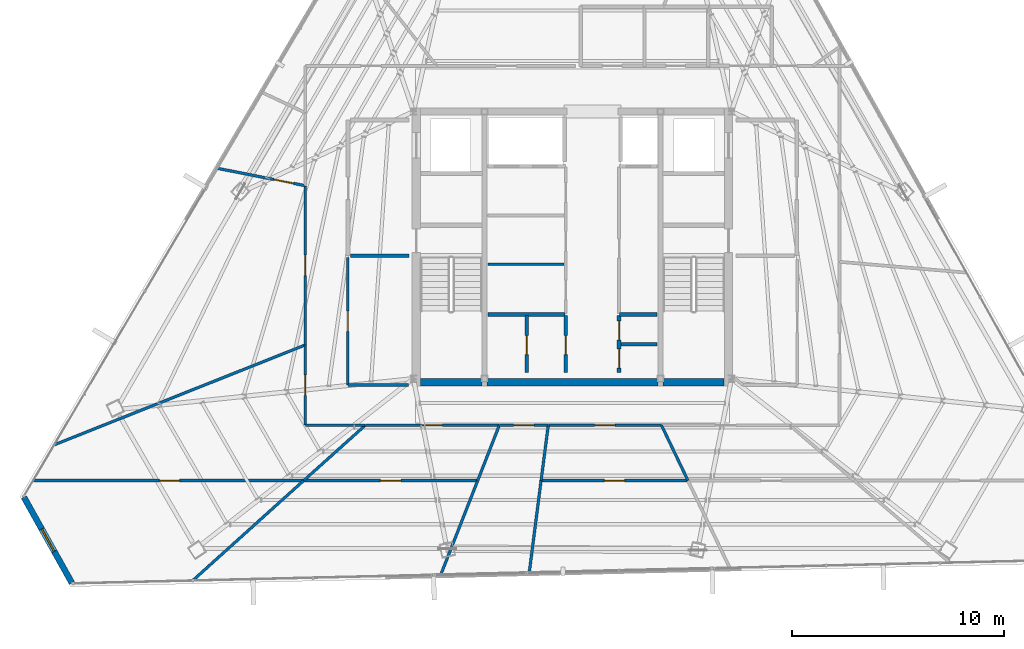
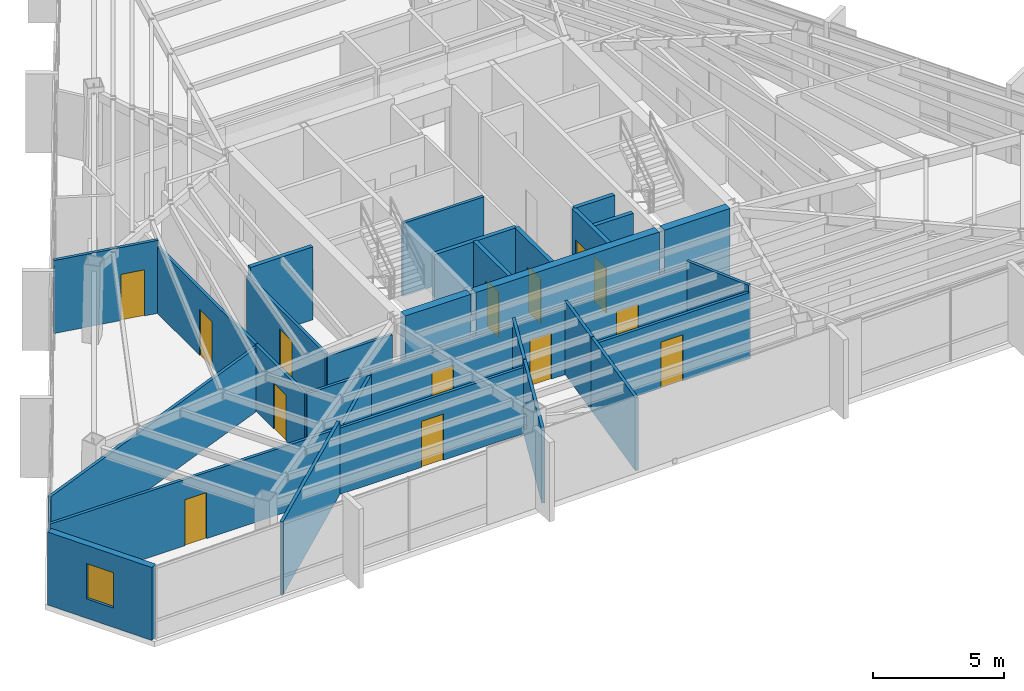
# One storey, part 42 of 47: 32 walls, 14 doors, 1 window, 15 openings.
"""IFC4 building model written with IfcOpenShell, lengths in metres."""

from ifc_helpers import new_model, si_unit, direction, frame, frame_2d, origin, place, context, subcontext, project, spatial, rectangle, extrude, material, layer, layer_set, type_object, element, fill, save


model = new_model("IFC4")

# Units and contexts
model_context = context("Model", 3, precision=1e-05, world=origin(), true_north=direction((0.0, 1.0)))
body_context = subcontext(model_context, "Body", "Model", "MODEL_VIEW")
ifc_project = project(units=[si_unit("LENGTHUNIT", "METRE"), si_unit("AREAUNIT", "SQUARE_METRE"), si_unit("VOLUMEUNIT", "CUBIC_METRE"), si_unit("PLANEANGLEUNIT", "RADIAN"), si_unit("MASSUNIT", "GRAM", prefix="KILO")], contexts=[model_context])

# Site, building, storey
site_placement = place(None, origin())
site = spatial("IfcSite", under=ifc_project, at=site_placement, CompositionType="ELEMENT")
building_placement = place(site_placement, origin())
building = spatial("IfcBuilding", under=site, at=building_placement, Name="Caelisora Broadcast Tower", CompositionType="ELEMENT")
storey_placement = place(building_placement, frame((0.0, 0.0, 255.39990234375)))
storey = spatial("IfcBuildingStorey", under=building, at=storey_placement, Name="L67", CompositionType="ELEMENT", Elevation=255.39990234375)

# Walls
ifc_material_1 = material(Name="Concrete 40 MPa (AS 3600 N40)", Category="concrete")
ifc_layer_1 = layer(ifc_material_1, 0.35009765625, Name="Concrete 40 MPa (AS 3600 N40)")
ifc_layer_set_1 = layer_set([ifc_layer_1], Name="Concrete 40 MPa (AS 3600 N40)")
wall_type_1 = type_object("IfcWallType", Name="CW6", PredefinedType="SHEAR", material=ifc_layer_set_1)
wall_1_placement = place(storey_placement, frame((30.840087890625, 17.22509765625, 0.0), z_axis=(0.0, 0.0, 1.0), x_axis=(1.0, 0.0, 0.0)))
element("IfcWall", 1, at=wall_1_placement, inside=storey, type_object=wall_type_1, Name="L67 core shear wall CW6", PredefinedType="SHEAR", context=body_context, shape_type="SweptSolid", body=[
    extrude(rectangle(XDim=2.89990234375, YDim=0.35009765625, at=frame_2d((1.449951171875, 0.0))), origin(), (0.0, 0.0, 1.0), 3.650146484375),
])
wall_2_placement = place(storey_placement, frame((33.9599609375, 17.22509765625, 0.0), z_axis=(0.0, 0.0, 1.0), x_axis=(1.0, 0.0, 0.0)))
element("IfcWall", 2, at=wall_2_placement, inside=storey, type_object=wall_type_1, Name="L67 core shear wall CW6", PredefinedType="SHEAR", context=body_context, shape_type="SweptSolid", body=[
    extrude(rectangle(XDim=8.080078125, YDim=0.35009765625, at=frame_2d((4.0400390625, 0.0))), origin(), (0.0, 0.0, 1.0), 3.650146484375),
])
wall_3_placement = place(storey_placement, frame((42.260009765625, 17.22509765625, 0.0), z_axis=(0.0, 0.0, 1.0), x_axis=(1.0, 0.0, 0.0)))
element("IfcWall", 3, at=wall_3_placement, inside=storey, type_object=wall_type_1, Name="L67 core shear wall CW6", PredefinedType="SHEAR", context=body_context, shape_type="SweptSolid", body=[
    extrude(rectangle(XDim=2.89990234375, YDim=0.35009765625, at=frame_2d((1.449951171875, 0.0))), origin(), (0.0, 0.0, 1.0), 3.650146484375),
])

# Wall, opening, window
ifc_material_2 = material(Name="Insulated Terracotta Spandrel Wall System", Category="masonry")
ifc_layer_2 = layer(ifc_material_2, 0.280029296875, Name="Insulated Terracotta Spandrel Wall System")
ifc_layer_set_2 = layer_set([ifc_layer_2], Name="Insulated Terracotta Spandrel Wall System")
wall_type_2 = type_object("IfcWallType", Name="EW1", PredefinedType="STANDARD", material=ifc_layer_set_2)
wall_4_placement = place(storey_placement, frame((14.389404296875, 7.76318359375, 0.0), z_axis=(0.0, 0.0, 1.0), x_axis=(-0.488121543329, 0.87277566358, 0.0)))
wall_4 = element("IfcWall", 4, at=wall_4_placement, inside=storey, type_object=wall_type_2, Name="L67 exterior envelope wall EW1", PredefinedType="STANDARD", context=body_context, shape_type="SweptSolid", body=[
    extrude(rectangle(XDim=4.62939453125, YDim=0.280029296875, at=frame_2d((2.314697265625, 0.0))), origin(), (0.0, 0.0, 1.0), 3.400146484375),
])
opening_1_placement = place(wall_4_placement, frame((1.7099609375, 0.0, 0.89990234375)))
opening_1 = element("IfcOpeningElement", 5, at=opening_1_placement, cuts=wall_4, Name="Opening W03", PredefinedType="OPENING", context=body_context, shape_type="SweptSolid", body=[
    extrude(rectangle(XDim=1.199951171875, YDim=1.64990234375, at=frame_2d((0.60009765625, 0.824951171875))), frame((0.0, 0.152099609375, 0.0), z_axis=(0.0, -1.0, 0.0), x_axis=(1.0, 0.0, 0.0)), (0.0, 0.0, 1.0), 0.303955078125),
])
ifc_material_3 = material(Name="Double Glazed Corner Vision Window", Category="glass")
window_type = type_object("IfcWindowType", Name="W03", PartitioningType="SINGLE_PANEL", PredefinedType="WINDOW", material=ifc_material_3)
window_placement = place(opening_1_placement, origin())
window = element("IfcWindow", 6, at=window_placement, inside=storey, type_object=window_type, Name="L67 window W03 (L67-WN-CH4)", OverallHeight=1.64990234375, OverallWidth=1.199951171875, PartitioningType="SINGLE_PANEL", PredefinedType="WINDOW", context=body_context, shape_type="SweptSolid", body=[
    extrude(rectangle(XDim=1.199951171875, YDim=1.64990234375, at=frame_2d((0.60009765625, 0.824951171875))), frame((0.0, 0.030029296875, 0.0), z_axis=(0.0, -1.0, 0.0), x_axis=(1.0, 0.0, 0.0)), (0.0, 0.0, 1.0), 0.06005859375),
])
fill(opening_1, window)

# Walls
ifc_material_4 = material(Name="Fire-Rated Gypsum Shaft and Compartment Wall", Category="gypsum")
ifc_layer_3 = layer(ifc_material_4, 0.179931640625, Name="Fire-Rated Gypsum Shaft and Compartment Wall")
ifc_layer_set_3 = layer_set([ifc_layer_3], Name="Fire-Rated Gypsum Shaft and Compartment Wall")
wall_type_3 = type_object("IfcWallType", Name="PW2", PredefinedType="PARTITIONING", material=ifc_layer_set_3)
wall_5_placement = place(storey_placement, frame((27.52001953125, 23.199951171875, 0.0), z_axis=(0.0, 0.0, 1.0), x_axis=(1.0, 0.0, 0.0)))
element("IfcWall", 7, at=wall_5_placement, inside=storey, type_object=wall_type_3, Name="L67 fire compartment wall PW2", PredefinedType="PARTITIONING", context=body_context, shape_type="SweptSolid", body=[
    extrude(rectangle(XDim=2.760009765625, YDim=0.179931640625, at=frame_2d((1.3798828125, 0.0))), origin(), (0.0, 0.0, 1.0), 3.400146484375),
])
wall_6_placement = place(storey_placement, frame((34.02001953125, 20.419921875, 0.0), z_axis=(0.0, 0.0, 1.0), x_axis=(1.0, 0.0, 0.0)))
element("IfcWall", 8, at=wall_6_placement, inside=storey, type_object=wall_type_3, Name="L67 fire compartment wall PW2", PredefinedType="PARTITIONING", context=body_context, shape_type="SweptSolid", body=[
    extrude(rectangle(XDim=3.639892578125, YDim=0.179931640625, at=frame_2d((1.81982421875, 0.0))), origin(), (0.0, 0.0, 1.0), 3.400146484375),
])
wall_7_placement = place(storey_placement, frame((40.219970703125, 20.419921875, 0.0), z_axis=(0.0, 0.0, 1.0), x_axis=(1.0, 0.0, 0.0)))
element("IfcWall", 9, at=wall_7_placement, inside=storey, type_object=wall_type_3, Name="L67 fire compartment wall PW2", PredefinedType="PARTITIONING", context=body_context, shape_type="SweptSolid", body=[
    extrude(rectangle(XDim=1.760009765625, YDim=0.179931640625, at=frame_2d((0.8798828125, 0.0))), origin(), (0.0, 0.0, 1.0), 3.400146484375),
])

# Wall, opening, door
wall_8_placement = place(storey_placement, frame((35.840087890625, 17.679931640625, 0.0), z_axis=(0.0, 0.0, 1.0), x_axis=(0.0, 1.0, 0.0)))
wall_8 = element("IfcWall", 10, at=wall_8_placement, inside=storey, type_object=wall_type_3, Name="L67 fire compartment wall PW2", PredefinedType="PARTITIONING", context=body_context, shape_type="SweptSolid", body=[
    extrude(rectangle(XDim=2.699951171875, YDim=0.179931640625, at=frame_2d((1.35009765625, 0.0))), origin(), (0.0, 0.0, 1.0), 3.400146484375),
])
opening_2_placement = place(wall_8_placement, frame((0.85009765625, 0.0, 0.0)))
opening_2 = element("IfcOpeningElement", 11, at=opening_2_placement, cuts=wall_8, Name="Opening FD03", PredefinedType="OPENING", context=body_context, shape_type="SweptSolid", body=[
    extrude(rectangle(XDim=0.89990234375, YDim=2.10009765625, at=frame_2d((0.449951171875, 1.050048828125))), frame((0.0, 0.10205078125, 0.0), z_axis=(0.0, -1.0, 0.0), x_axis=(1.0, 0.0, 0.0)), (0.0, 0.0, 1.0), 0.203857421875),
])
ifc_material_5 = material(Name="Single-Leaf Steel Riser Fire Access Door", Category="steel")
door_type_1 = type_object("IfcDoorType", Name="FD03", OperationType="NOTDEFINED", PredefinedType="DOOR", material=ifc_material_5)
door_1_placement = place(opening_2_placement, origin())
door_1 = element("IfcDoor", 12, at=door_1_placement, inside=storey, type_object=door_type_1, Name="L67 door FD03 (L67-DR-P15D1)", OperationType="SINGLE_SWING_RIGHT", OverallHeight=2.10009765625, OverallWidth=0.89990234375, PredefinedType="DOOR", context=body_context, shape_type="SweptSolid", body=[
    extrude(rectangle(XDim=0.89990234375, YDim=2.10009765625, at=frame_2d((0.449951171875, 1.050048828125))), frame((0.0, 0.02490234375, 0.0), z_axis=(0.0, -1.0, 0.0), x_axis=(1.0, 0.0, 0.0)), (0.0, 0.0, 1.0), 0.050048828125),
])
fill(opening_2, door_1)

wall_9_placement = place(storey_placement, frame((37.679931640625, 17.679931640625, 0.0), z_axis=(0.0, 0.0, 1.0), x_axis=(0.0, 1.0, 0.0)))
wall_9 = element("IfcWall", 13, at=wall_9_placement, inside=storey, type_object=wall_type_3, Name="L67 fire compartment wall PW2", PredefinedType="PARTITIONING", context=body_context, shape_type="SweptSolid", body=[
    extrude(rectangle(XDim=2.699951171875, YDim=0.179931640625, at=frame_2d((1.35009765625, 0.0))), origin(), (0.0, 0.0, 1.0), 3.400146484375),
])
opening_3_placement = place(wall_9_placement, frame((0.85009765625, 0.0, 0.0)))
opening_3 = element("IfcOpeningElement", 14, at=opening_3_placement, cuts=wall_9, Name="Opening FD03", PredefinedType="OPENING", context=body_context, shape_type="SweptSolid", body=[
    extrude(rectangle(XDim=0.89990234375, YDim=2.10009765625, at=frame_2d((0.449951171875, 1.050048828125))), frame((0.0, 0.10205078125, 0.0), z_axis=(0.0, -1.0, 0.0), x_axis=(1.0, 0.0, 0.0)), (0.0, 0.0, 1.0), 0.203857421875),
])
door_2_placement = place(opening_3_placement, origin())
door_2 = element("IfcDoor", 15, at=door_2_placement, inside=storey, type_object=door_type_1, Name="L67 door FD03 (L67-DR-P16D1)", OperationType="SINGLE_SWING_LEFT", OverallHeight=2.10009765625, OverallWidth=0.89990234375, PredefinedType="DOOR", context=body_context, shape_type="SweptSolid", body=[
    extrude(rectangle(XDim=0.89990234375, YDim=2.10009765625, at=frame_2d((0.449951171875, 1.050048828125))), frame((0.0, 0.02490234375, 0.0), z_axis=(0.0, -1.0, 0.0), x_axis=(1.0, 0.0, 0.0)), (0.0, 0.0, 1.0), 0.050048828125),
])
fill(opening_3, door_2)

# Wall
wall_10_placement = place(storey_placement, frame((40.280029296875, 19.02001953125, 0.0), z_axis=(0.0, 0.0, 1.0), x_axis=(1.0, 0.0, 0.0)))
element("IfcWall", 16, at=wall_10_placement, inside=storey, type_object=wall_type_3, Name="L67 fire compartment wall PW2", PredefinedType="PARTITIONING", context=body_context, shape_type="SweptSolid", body=[
    extrude(rectangle(XDim=1.699951171875, YDim=0.179931640625, at=frame_2d((0.85009765625, 0.0))), origin(), (0.0, 0.0, 1.0), 3.400146484375),
])

# Wall, openings, doors
wall_11_placement = place(storey_placement, frame((40.199951171875, 17.679931640625, 0.0), z_axis=(0.0, 0.0, 1.0), x_axis=(0.0, 1.0, 0.0)))
wall_11 = element("IfcWall", 17, at=wall_11_placement, inside=storey, type_object=wall_type_3, Name="L67 fire compartment wall PW2", PredefinedType="PARTITIONING", context=body_context, shape_type="SweptSolid", body=[
    extrude(rectangle(XDim=2.699951171875, YDim=0.179931640625, at=frame_2d((1.35009765625, 0.0))), origin(), (0.0, 0.0, 1.0), 3.400146484375),
])
opening_4_placement = place(wall_11_placement, frame((0.219970703125, 0.0, 0.0)))
opening_4 = element("IfcOpeningElement", 18, at=opening_4_placement, cuts=wall_11, Name="Opening FD03", PredefinedType="OPENING", context=body_context, shape_type="SweptSolid", body=[
    extrude(rectangle(XDim=0.89990234375, YDim=2.10009765625, at=frame_2d((0.449951171875, 1.050048828125))), frame((0.0, 0.10205078125, 0.0), z_axis=(0.0, -1.0, 0.0), x_axis=(1.0, 0.0, 0.0)), (0.0, 0.0, 1.0), 0.203857421875),
])
opening_5_placement = place(wall_11_placement, frame((1.5400390625, 0.0, 0.0)))
opening_5 = element("IfcOpeningElement", 19, at=opening_5_placement, cuts=wall_11, Name="Opening FD03", PredefinedType="OPENING", context=body_context, shape_type="SweptSolid", body=[
    extrude(rectangle(XDim=0.89990234375, YDim=2.10009765625, at=frame_2d((0.449951171875, 1.050048828125))), frame((0.0, 0.10205078125, 0.0), z_axis=(0.0, -1.0, 0.0), x_axis=(1.0, 0.0, 0.0)), (0.0, 0.0, 1.0), 0.203857421875),
])
door_3_placement = place(opening_4_placement, origin())
door_3 = element("IfcDoor", 20, at=door_3_placement, inside=storey, type_object=door_type_1, Name="L67 door FD03 (L67-DR-P18D1)", OperationType="SINGLE_SWING_RIGHT", OverallHeight=2.10009765625, OverallWidth=0.89990234375, PredefinedType="DOOR", context=body_context, shape_type="SweptSolid", body=[
    extrude(rectangle(XDim=0.89990234375, YDim=2.10009765625, at=frame_2d((0.449951171875, 1.050048828125))), frame((0.0, 0.02490234375, 0.0), z_axis=(0.0, -1.0, 0.0), x_axis=(1.0, 0.0, 0.0)), (0.0, 0.0, 1.0), 0.050048828125),
])
fill(opening_4, door_3)
door_4_placement = place(opening_5_placement, origin())
door_4 = element("IfcDoor", 21, at=door_4_placement, inside=storey, type_object=door_type_1, Name="L67 door FD03 (L67-DR-P18D2)", OperationType="SINGLE_SWING_LEFT", OverallHeight=2.10009765625, OverallWidth=0.89990234375, PredefinedType="DOOR", context=body_context, shape_type="SweptSolid", body=[
    extrude(rectangle(XDim=0.89990234375, YDim=2.10009765625, at=frame_2d((0.449951171875, 1.050048828125))), frame((0.0, 0.02490234375, 0.0), z_axis=(0.0, -1.0, 0.0), x_axis=(1.0, 0.0, 0.0)), (0.0, 0.0, 1.0), 0.050048828125),
])
fill(opening_5, door_4)

# Walls
ifc_material_6 = material(Name="Acoustic Steel-Stud Plasterboard Partition", Category="gypsum")
ifc_layer_4 = layer(ifc_material_6, 0.1298828125, Name="Acoustic Steel-Stud Plasterboard Partition")
ifc_layer_set_4 = layer_set([ifc_layer_4], Name="Acoustic Steel-Stud Plasterboard Partition")
wall_type_4 = type_object("IfcWallType", Name="PW3", PredefinedType="PARTITIONING", material=ifc_layer_set_4)
wall_12_placement = place(storey_placement, frame((34.02001953125, 22.800048828125, 0.0), z_axis=(0.0, 0.0, 1.0), x_axis=(1.0, 0.0, 0.0)))
element("IfcWall", 22, at=wall_12_placement, inside=storey, type_object=wall_type_4, Name="L67 internal partition PW3", PredefinedType="PARTITIONING", context=body_context, shape_type="SweptSolid", body=[
    extrude(rectangle(XDim=3.580078125, YDim=0.1298828125, at=frame_2d((1.7900390625, 0.0))), origin(), (0.0, 0.0, 1.0), 3.400146484375),
])
wall_13_placement = place(storey_placement, frame((13.55419921875, 14.27734375, 0.0), z_axis=(0.0, 0.0, 1.0), x_axis=(0.929168727435, 0.369655888574, 0.0)))
element("IfcWall", 23, at=wall_13_placement, inside=storey, type_object=wall_type_4, Name="L67 internal partition PW3", PredefinedType="PARTITIONING", context=body_context, shape_type="SweptSolid", body=[
    extrude(rectangle(XDim=12.743408203125, YDim=0.1298828125, at=frame_2d((6.37158203125, 0.0))), origin(), (0.0, 0.0, 1.0), 2.985107421875),
])

# Wall, opening, door
wall_14_placement = place(storey_placement, frame((12.55810546875, 12.590087890625, 0.0), z_axis=(0.0, 0.0, 1.0), x_axis=(1.0, 0.0, 0.0)))
wall_14 = element("IfcWall", 24, at=wall_14_placement, inside=storey, type_object=wall_type_4, Name="L67 internal partition PW3", PredefinedType="PARTITIONING", context=body_context, shape_type="SweptSolid", body=[
    extrude(rectangle(XDim=12.7568359375, YDim=0.1298828125, at=frame_2d((6.37841796875, 0.0))), origin(), (0.0, 0.0, 1.0), 3.085205078125),
])
opening_6_placement = place(wall_14_placement, frame((5.952880859375, 0.0, 0.0)))
opening_6 = element("IfcOpeningElement", 25, at=opening_6_placement, cuts=wall_14, Name="Opening D01", PredefinedType="OPENING", context=body_context, shape_type="SweptSolid", body=[
    extrude(rectangle(XDim=0.9599609375, YDim=2.14990234375, at=frame_2d((0.47998046875, 1.074951171875))), frame((0.0, 0.076904296875, 0.0), z_axis=(0.0, -1.0, 0.0), x_axis=(1.0, 0.0, 0.0)), (0.0, 0.0, 1.0), 0.15380859375),
])
ifc_material_7 = material(Name="Solid-Core Timber Acoustic Office Door", Category="wood")
door_type_2 = type_object("IfcDoorType", Name="D01", OperationType="NOTDEFINED", PredefinedType="DOOR", material=ifc_material_7)
door_5_placement = place(opening_6_placement, origin())
door_5 = element("IfcDoor", 26, at=door_5_placement, inside=storey, type_object=door_type_2, Name="L67 door D01 (L67-DR-P32D1)", OperationType="SINGLE_SWING_LEFT", OverallHeight=2.14990234375, OverallWidth=0.9599609375, PredefinedType="DOOR", context=body_context, shape_type="SweptSolid", body=[
    extrude(rectangle(XDim=0.9599609375, YDim=2.14990234375, at=frame_2d((0.47998046875, 1.074951171875))), frame((0.0, 0.02490234375, 0.0), z_axis=(0.0, -1.0, 0.0), x_axis=(1.0, 0.0, 0.0)), (0.0, 0.0, 1.0), 0.050048828125),
])
fill(opening_6, door_5)

wall_15_placement = place(storey_placement, frame((25.324951171875, 12.590087890625, 0.0), z_axis=(0.0, 0.0, 1.0), x_axis=(1.0, 0.0, 0.0)))
wall_15 = element("IfcWall", 27, at=wall_15_placement, inside=storey, type_object=wall_type_4, Name="L67 internal partition PW3", PredefinedType="PARTITIONING", context=body_context, shape_type="SweptSolid", body=[
    extrude(rectangle(XDim=8.199951171875, YDim=0.1298828125, at=frame_2d((4.10009765625, 0.0))), origin(), (0.0, 0.0, 1.0), 3.085205078125),
])
opening_7_placement = place(wall_15_placement, frame((3.6201171875, 0.0, 0.0)))
opening_7 = element("IfcOpeningElement", 28, at=opening_7_placement, cuts=wall_15, Name="Opening D01", PredefinedType="OPENING", context=body_context, shape_type="SweptSolid", body=[
    extrude(rectangle(XDim=0.9599609375, YDim=2.14990234375, at=frame_2d((0.47998046875, 1.074951171875))), frame((0.0, 0.076904296875, 0.0), z_axis=(0.0, -1.0, 0.0), x_axis=(1.0, 0.0, 0.0)), (0.0, 0.0, 1.0), 0.15380859375),
])
door_6_placement = place(opening_7_placement, origin())
door_6 = element("IfcDoor", 29, at=door_6_placement, inside=storey, type_object=door_type_2, Name="L67 door D01 (L67-DR-P38D1)", OperationType="SINGLE_SWING_RIGHT", OverallHeight=2.14990234375, OverallWidth=0.9599609375, PredefinedType="DOOR", context=body_context, shape_type="SweptSolid", body=[
    extrude(rectangle(XDim=0.9599609375, YDim=2.14990234375, at=frame_2d((0.47998046875, 1.074951171875))), frame((0.0, 0.02490234375, 0.0), z_axis=(0.0, -1.0, 0.0), x_axis=(1.0, 0.0, 0.0)), (0.0, 0.0, 1.0), 0.050048828125),
])
fill(opening_7, door_6)

wall_16_placement = place(storey_placement, frame((25.39990234375, 18.9951171875, 0.0), z_axis=(0.0, 0.0, 1.0), x_axis=(0.0, 1.0, 0.0)))
wall_16 = element("IfcWall", 30, at=wall_16_placement, inside=storey, type_object=wall_type_4, Name="L67 internal partition PW3", PredefinedType="PARTITIONING", context=body_context, shape_type="SweptSolid", body=[
    extrude(rectangle(XDim=7.5, YDim=0.1298828125, at=frame_2d((3.75, 0.0))), origin(), (0.0, 0.0, 1.0), 3.085205078125),
])
opening_8_placement = place(wall_16_placement, frame((3.27001953125, 0.0, 0.0)))
opening_8 = element("IfcOpeningElement", 31, at=opening_8_placement, cuts=wall_16, Name="Opening D01", PredefinedType="OPENING", context=body_context, shape_type="SweptSolid", body=[
    extrude(rectangle(XDim=0.9599609375, YDim=2.14990234375, at=frame_2d((0.47998046875, 1.074951171875))), frame((0.0, 0.076904296875, 0.0), z_axis=(0.0, -1.0, 0.0), x_axis=(1.0, 0.0, 0.0)), (0.0, 0.0, 1.0), 0.15380859375),
])
door_7_placement = place(opening_8_placement, origin())
door_7 = element("IfcDoor", 32, at=door_7_placement, inside=storey, type_object=door_type_2, Name="L67 door D01 (L67-DR-P41D1)", OperationType="SINGLE_SWING_LEFT", OverallHeight=2.14990234375, OverallWidth=0.9599609375, PredefinedType="DOOR", context=body_context, shape_type="SweptSolid", body=[
    extrude(rectangle(XDim=0.9599609375, YDim=2.14990234375, at=frame_2d((0.47998046875, 1.074951171875))), frame((0.0, 0.02490234375, 0.0), z_axis=(0.0, -1.0, 0.0), x_axis=(1.0, 0.0, 0.0)), (0.0, 0.0, 1.0), 0.050048828125),
])
fill(opening_8, door_7)

# Wall
wall_17_placement = place(storey_placement, frame((20.07666015625, 7.8662109375, 0.0), z_axis=(0.0, 0.0, 1.0), x_axis=(0.742915326352, 0.669385403091, 0.0)))
element("IfcWall", 33, at=wall_17_placement, inside=storey, type_object=wall_type_4, Name="L67 internal partition PW3", PredefinedType="PARTITIONING", context=body_context, shape_type="SweptSolid", body=[
    extrude(rectangle(XDim=7.05224609375, YDim=0.1298828125, at=frame_2d((3.526123046875, 0.0))), origin(), (0.0, 0.0, 1.0), 3.400146484375),
])

# Wall, opening, door
wall_18_placement = place(storey_placement, frame((36.52490234375, 12.590087890625, 0.0), z_axis=(0.0, 0.0, 1.0), x_axis=(1.0, 0.0, 0.0)))
wall_18 = element("IfcWall", 34, at=wall_18_placement, inside=storey, type_object=wall_type_4, Name="L67 internal partition PW3", PredefinedType="PARTITIONING", context=body_context, shape_type="SweptSolid", body=[
    extrude(rectangle(XDim=6.920166015625, YDim=0.1298828125, at=frame_2d((3.4599609375, 0.0))), origin(), (0.0, 0.0, 1.0), 3.085205078125),
])
opening_9_placement = place(wall_18_placement, frame((2.97998046875, 0.0, 0.0)))
opening_9 = element("IfcOpeningElement", 35, at=opening_9_placement, cuts=wall_18, Name="Opening D01", PredefinedType="OPENING", context=body_context, shape_type="SweptSolid", body=[
    extrude(rectangle(XDim=0.9599609375, YDim=2.14990234375, at=frame_2d((0.47998046875, 1.074951171875))), frame((0.0, 0.076904296875, 0.0), z_axis=(0.0, -1.0, 0.0), x_axis=(1.0, 0.0, 0.0)), (0.0, 0.0, 1.0), 0.15380859375),
])
door_8_placement = place(opening_9_placement, origin())
door_8 = element("IfcDoor", 36, at=door_8_placement, inside=storey, type_object=door_type_2, Name="L67 door D01 (L67-DR-P44D1)", OperationType="SINGLE_SWING_RIGHT", OverallHeight=2.14990234375, OverallWidth=0.9599609375, PredefinedType="DOOR", context=body_context, shape_type="SweptSolid", body=[
    extrude(rectangle(XDim=0.9599609375, YDim=2.14990234375, at=frame_2d((0.47998046875, 1.074951171875))), frame((0.0, 0.02490234375, 0.0), z_axis=(0.0, -1.0, 0.0), x_axis=(1.0, 0.0, 0.0)), (0.0, 0.0, 1.0), 0.050048828125),
])
fill(opening_9, door_8)

wall_19_placement = place(storey_placement, frame((28.235107421875, 15.199951171875, 0.0), z_axis=(0.0, 0.0, 1.0), x_axis=(1.0, 0.0, 0.0)))
wall_19 = element("IfcWall", 37, at=wall_19_placement, inside=storey, type_object=wall_type_4, Name="L67 internal partition PW3", PredefinedType="PARTITIONING", context=body_context, shape_type="SweptSolid", body=[
    extrude(rectangle(XDim=6.309814453125, YDim=0.1298828125, at=frame_2d((3.15478515625, 0.0))), origin(), (0.0, 0.0, 1.0), 3.085205078125),
])
opening_10_placement = place(wall_19_placement, frame((2.675048828125, 0.0, 0.0)))
opening_10 = element("IfcOpeningElement", 38, at=opening_10_placement, cuts=wall_19, Name="Opening D01", PredefinedType="OPENING", context=body_context, shape_type="SweptSolid", body=[
    extrude(rectangle(XDim=0.9599609375, YDim=2.14990234375, at=frame_2d((0.47998046875, 1.074951171875))), frame((0.0, 0.076904296875, 0.0), z_axis=(0.0, -1.0, 0.0), x_axis=(1.0, 0.0, 0.0)), (0.0, 0.0, 1.0), 0.15380859375),
])
door_9_placement = place(opening_10_placement, origin())
door_9 = element("IfcDoor", 39, at=door_9_placement, inside=storey, type_object=door_type_2, Name="L67 door D01 (L67-DR-P46D1)", OperationType="SINGLE_SWING_RIGHT", OverallHeight=2.14990234375, OverallWidth=0.9599609375, PredefinedType="DOOR", context=body_context, shape_type="SweptSolid", body=[
    extrude(rectangle(XDim=0.9599609375, YDim=2.14990234375, at=frame_2d((0.47998046875, 1.074951171875))), frame((0.0, 0.02490234375, 0.0), z_axis=(0.0, -1.0, 0.0), x_axis=(1.0, 0.0, 0.0)), (0.0, 0.0, 1.0), 0.050048828125),
])
fill(opening_10, door_9)

wall_20_placement = place(storey_placement, frame((27.39990234375, 17.10498046875, 0.0), z_axis=(0.0, 0.0, 1.0), x_axis=(0.0, 1.0, 0.0)))
wall_20 = element("IfcWall", 40, at=wall_20_placement, inside=storey, type_object=wall_type_4, Name="L67 internal partition PW3", PredefinedType="PARTITIONING", context=body_context, shape_type="SweptSolid", body=[
    extrude(rectangle(XDim=6.0, YDim=0.1298828125, at=frame_2d((3.0, 0.0))), origin(), (0.0, 0.0, 1.0), 3.085205078125),
])
opening_11_placement = place(wall_20_placement, frame((2.52001953125, 0.0, 0.0)))
opening_11 = element("IfcOpeningElement", 41, at=opening_11_placement, cuts=wall_20, Name="Opening D01", PredefinedType="OPENING", context=body_context, shape_type="SweptSolid", body=[
    extrude(rectangle(XDim=0.9599609375, YDim=2.14990234375, at=frame_2d((0.47998046875, 1.074951171875))), frame((0.0, 0.076904296875, 0.0), z_axis=(0.0, -1.0, 0.0), x_axis=(1.0, 0.0, 0.0)), (0.0, 0.0, 1.0), 0.15380859375),
])
door_10_placement = place(opening_11_placement, origin())
door_10 = element("IfcDoor", 42, at=door_10_placement, inside=storey, type_object=door_type_2, Name="L67 door D01 (L67-DR-P50D1)", OperationType="SINGLE_SWING_RIGHT", OverallHeight=2.14990234375, OverallWidth=0.9599609375, PredefinedType="DOOR", context=body_context, shape_type="SweptSolid", body=[
    extrude(rectangle(XDim=0.9599609375, YDim=2.14990234375, at=frame_2d((0.47998046875, 1.074951171875))), frame((0.0, 0.02490234375, 0.0), z_axis=(0.0, -1.0, 0.0), x_axis=(1.0, 0.0, 0.0)), (0.0, 0.0, 1.0), 0.050048828125),
])
fill(opening_11, door_10)

wall_21_placement = place(storey_placement, frame((36.864990234375, 15.199951171875, 0.0), z_axis=(0.0, 0.0, 1.0), x_axis=(1.0, 0.0, 0.0)))
wall_21 = element("IfcWall", 43, at=wall_21_placement, inside=storey, type_object=wall_type_4, Name="L67 internal partition PW3", PredefinedType="PARTITIONING", context=body_context, shape_type="SweptSolid", body=[
    extrude(rectangle(XDim=5.330078125, YDim=0.1298828125, at=frame_2d((2.6650390625, 0.0))), origin(), (0.0, 0.0, 1.0), 3.085205078125),
])
opening_12_placement = place(wall_21_placement, frame((2.18505859375, 0.0, 0.0)))
opening_12 = element("IfcOpeningElement", 44, at=opening_12_placement, cuts=wall_21, Name="Opening D01", PredefinedType="OPENING", context=body_context, shape_type="SweptSolid", body=[
    extrude(rectangle(XDim=0.9599609375, YDim=2.14990234375, at=frame_2d((0.47998046875, 1.074951171875))), frame((0.0, 0.076904296875, 0.0), z_axis=(0.0, -1.0, 0.0), x_axis=(1.0, 0.0, 0.0)), (0.0, 0.0, 1.0), 0.15380859375),
])
door_11_placement = place(opening_12_placement, origin())
door_11 = element("IfcDoor", 45, at=door_11_placement, inside=storey, type_object=door_type_2, Name="L67 door D01 (L67-DR-P53D1)", OperationType="SINGLE_SWING_LEFT", OverallHeight=2.14990234375, OverallWidth=0.9599609375, PredefinedType="DOOR", context=body_context, shape_type="SweptSolid", body=[
    extrude(rectangle(XDim=0.9599609375, YDim=2.14990234375, at=frame_2d((0.47998046875, 1.074951171875))), frame((0.0, 0.02490234375, 0.0), z_axis=(0.0, -1.0, 0.0), x_axis=(1.0, 0.0, 0.0)), (0.0, 0.0, 1.0), 0.050048828125),
])
fill(opening_12, door_11)

# Walls
wall_22_placement = place(storey_placement, frame((31.786376953125, 8.142578125, 0.0), z_axis=(0.0, 0.0, 1.0), x_axis=(0.365012749001, 0.931002520441, 0.0)))
element("IfcWall", 46, at=wall_22_placement, inside=storey, type_object=wall_type_4, Name="L67 internal partition PW3", PredefinedType="PARTITIONING", context=body_context, shape_type="SweptSolid", body=[
    extrude(rectangle(XDim=4.771728515625, YDim=0.1298828125, at=frame_2d((2.3857421875, 0.0))), origin(), (0.0, 0.0, 1.0), 3.400146484375),
])
wall_23_placement = place(storey_placement, frame((35.961669921875, 8.2412109375, 0.0), z_axis=(0.0, 0.0, 1.0), x_axis=(0.127272601861, 0.991867775873, 0.0)))
element("IfcWall", 47, at=wall_23_placement, inside=storey, type_object=wall_type_4, Name="L67 internal partition PW3", PredefinedType="PARTITIONING", context=body_context, shape_type="SweptSolid", body=[
    extrude(rectangle(XDim=4.37939453125, YDim=0.1298828125, at=frame_2d((2.189697265625, 0.0))), origin(), (0.0, 0.0, 1.0), 3.400146484375),
])

# Wall, opening, door
wall_24_placement = place(storey_placement, frame((21.256103515625, 27.321044921875, 0.0), z_axis=(0.0, 0.0, 1.0), x_axis=(0.980930721185, -0.194357712055, 0.0)))
wall_24 = element("IfcWall", 48, at=wall_24_placement, inside=storey, type_object=wall_type_4, Name="L67 internal partition PW3", PredefinedType="PARTITIONING", context=body_context, shape_type="SweptSolid", body=[
    extrude(rectangle(XDim=4.219482421875, YDim=0.1298828125, at=frame_2d((2.10986328125, 0.0))), origin(), (0.0, 0.0, 1.0), 3.400146484375),
])
opening_13_placement = place(wall_24_placement, frame((2.699951171875, 0.0, 0.0)))
opening_13 = element("IfcOpeningElement", 49, at=opening_13_placement, cuts=wall_24, Name="Opening D01", PredefinedType="OPENING", context=body_context, shape_type="SweptSolid", body=[
    extrude(rectangle(XDim=0.9599609375, YDim=2.14990234375, at=frame_2d((0.47998046875, 1.074951171875))), frame((0.0, 0.076904296875, 0.0), z_axis=(0.0, -1.0, 0.0), x_axis=(1.0, 0.0, 0.0)), (0.0, 0.0, 1.0), 0.15380859375),
])
door_12_placement = place(opening_13_placement, origin())
door_12 = element("IfcDoor", 50, at=door_12_placement, inside=storey, type_object=door_type_2, Name="L67 door D01 (L67-DR-P57D1)", OperationType="SINGLE_SWING_RIGHT", OverallHeight=2.14990234375, OverallWidth=0.9599609375, PredefinedType="DOOR", context=body_context, shape_type="SweptSolid", body=[
    extrude(rectangle(XDim=0.9599609375, YDim=2.14990234375, at=frame_2d((0.47998046875, 1.074951171875))), frame((0.0, 0.02490234375, 0.0), z_axis=(0.0, -1.0, 0.0), x_axis=(1.0, 0.0, 0.0)), (0.0, 0.0, 1.0), 0.050048828125),
])
fill(opening_13, door_12)

# Wall
wall_25_placement = place(storey_placement, frame((25.323974609375, 12.593017578125, 0.0), z_axis=(0.0, 0.0, 1.0), x_axis=(0.744298944204, 0.667846600393, 0.0)))
element("IfcWall", 51, at=wall_25_placement, inside=storey, type_object=wall_type_4, Name="L67 internal partition PW3", PredefinedType="PARTITIONING", context=body_context, shape_type="SweptSolid", body=[
    extrude(rectangle(XDim=3.899169921875, YDim=0.1298828125, at=frame_2d((1.94970703125, 0.0))), origin(), (0.0, 0.0, 1.0), 2.985107421875),
])

# Wall, opening, door
wall_26_placement = place(storey_placement, frame((25.39990234375, 18.985107421875, 0.0), z_axis=(0.0, 0.0, 1.0), x_axis=(0.0, -1.0, 0.0)))
wall_26 = element("IfcWall", 52, at=wall_26_placement, inside=storey, type_object=wall_type_4, Name="L67 internal partition PW3", PredefinedType="PARTITIONING", context=body_context, shape_type="SweptSolid", body=[
    extrude(rectangle(XDim=3.780029296875, YDim=0.1298828125, at=frame_2d((1.89013671875, 0.0))), origin(), (0.0, 0.0, 1.0), 3.085205078125),
])
opening_14_placement = place(wall_26_placement, frame((1.409912109375, 0.0, 0.0)))
opening_14 = element("IfcOpeningElement", 53, at=opening_14_placement, cuts=wall_26, Name="Opening D01", PredefinedType="OPENING", context=body_context, shape_type="SweptSolid", body=[
    extrude(rectangle(XDim=0.9599609375, YDim=2.14990234375, at=frame_2d((0.47998046875, 1.074951171875))), frame((0.0, 0.076904296875, 0.0), z_axis=(0.0, -1.0, 0.0), x_axis=(1.0, 0.0, 0.0)), (0.0, 0.0, 1.0), 0.15380859375),
])
door_13_placement = place(opening_14_placement, origin())
door_13 = element("IfcDoor", 54, at=door_13_placement, inside=storey, type_object=door_type_2, Name="L67 door D01 (L67-DR-P60D1)", OperationType="SINGLE_SWING_LEFT", OverallHeight=2.14990234375, OverallWidth=0.9599609375, PredefinedType="DOOR", context=body_context, shape_type="SweptSolid", body=[
    extrude(rectangle(XDim=0.9599609375, YDim=2.14990234375, at=frame_2d((0.47998046875, 1.074951171875))), frame((0.0, 0.02490234375, 0.0), z_axis=(0.0, -1.0, 0.0), x_axis=(1.0, 0.0, 0.0)), (0.0, 0.0, 1.0), 0.050048828125),
])
fill(opening_14, door_13)

# Walls
wall_27_placement = place(storey_placement, frame((30.264892578125, 17.10009765625, 0.0), z_axis=(0.0, 0.0, 1.0), x_axis=(-1.0, 0.0, 0.0)))
element("IfcWall", 55, at=wall_27_placement, inside=storey, type_object=wall_type_4, Name="L67 internal partition PW3", PredefinedType="PARTITIONING", context=body_context, shape_type="SweptSolid", body=[
    extrude(rectangle(XDim=2.85986328125, YDim=0.1298828125, at=frame_2d((1.429931640625, 0.0))), origin(), (0.0, 0.0, 1.0), 2.985107421875),
])
wall_28_placement = place(storey_placement, frame((42.201904296875, 15.195068359375, 0.0), z_axis=(0.0, 0.0, 1.0), x_axis=(0.432180435201, -0.901787154172, 0.0)))
element("IfcWall", 56, at=wall_28_placement, inside=storey, type_object=wall_type_4, Name="L67 internal partition PW3", PredefinedType="PARTITIONING", context=body_context, shape_type="SweptSolid", body=[
    extrude(rectangle(XDim=2.88330078125, YDim=0.1298828125, at=frame_2d((1.441650390625, 0.0))), origin(), (0.0, 0.0, 1.0), 3.400146484375),
])
wall_29_placement = place(storey_placement, frame((25.405029296875, 15.199951171875, 0.0), z_axis=(0.0, 0.0, 1.0), x_axis=(1.0, 0.0, 0.0)))
element("IfcWall", 57, at=wall_29_placement, inside=storey, type_object=wall_type_4, Name="L67 internal partition PW3", PredefinedType="PARTITIONING", context=body_context, shape_type="SweptSolid", body=[
    extrude(rectangle(XDim=2.820068359375, YDim=0.1298828125, at=frame_2d((1.41015625, 0.0))), origin(), (0.0, 0.0, 1.0), 3.085205078125),
])
wall_30_placement = place(storey_placement, frame((33.531982421875, 12.594970703125, 0.0), z_axis=(0.0, 0.0, 1.0), x_axis=(0.36399042244, 0.931402690769, 0.0)))
element("IfcWall", 58, at=wall_30_placement, inside=storey, type_object=wall_type_4, Name="L67 internal partition PW3", PredefinedType="PARTITIONING", context=body_context, shape_type="SweptSolid", body=[
    extrude(rectangle(XDim=2.79150390625, YDim=0.1298828125, at=frame_2d((1.395751953125, 0.0))), origin(), (0.0, 0.0, 1.0), 3.400146484375),
])
wall_31_placement = place(storey_placement, frame((36.52099609375, 12.594970703125, 0.0), z_axis=(0.0, 0.0, 1.0), x_axis=(0.128869446971, 0.991661568095, 0.0)))
element("IfcWall", 59, at=wall_31_placement, inside=storey, type_object=wall_type_4, Name="L67 internal partition PW3", PredefinedType="PARTITIONING", context=body_context, shape_type="SweptSolid", body=[
    extrude(rectangle(XDim=2.6220703125, YDim=0.1298828125, at=frame_2d((1.31103515625, 0.0))), origin(), (0.0, 0.0, 1.0), 3.400146484375),
])

# Wall, opening, door
wall_32_placement = place(storey_placement, frame((34.554931640625, 15.199951171875, 0.0), z_axis=(0.0, 0.0, 1.0), x_axis=(1.0, 0.0, 0.0)))
wall_32 = element("IfcWall", 60, at=wall_32_placement, inside=storey, type_object=wall_type_4, Name="L67 internal partition PW3", PredefinedType="PARTITIONING", context=body_context, shape_type="SweptSolid", body=[
    extrude(rectangle(XDim=2.300048828125, YDim=0.1298828125, at=frame_2d((1.14990234375, 0.0))), origin(), (0.0, 0.0, 1.0), 3.085205078125),
])
opening_15_placement = place(wall_32_placement, frame((0.669921875, 0.0, 0.0)))
opening_15 = element("IfcOpeningElement", 61, at=opening_15_placement, cuts=wall_32, Name="Opening D01", PredefinedType="OPENING", context=body_context, shape_type="SweptSolid", body=[
    extrude(rectangle(XDim=0.9599609375, YDim=2.14990234375, at=frame_2d((0.47998046875, 1.074951171875))), frame((0.0, 0.076904296875, 0.0), z_axis=(0.0, -1.0, 0.0), x_axis=(1.0, 0.0, 0.0)), (0.0, 0.0, 1.0), 0.15380859375),
])
door_14_placement = place(opening_15_placement, origin())
door_14 = element("IfcDoor", 62, at=door_14_placement, inside=storey, type_object=door_type_2, Name="L67 door D01 (L67-DR-P70D1)", OperationType="SINGLE_SWING_RIGHT", OverallHeight=2.14990234375, OverallWidth=0.9599609375, PredefinedType="DOOR", context=body_context, shape_type="SweptSolid", body=[
    extrude(rectangle(XDim=0.9599609375, YDim=2.14990234375, at=frame_2d((0.47998046875, 1.074951171875))), frame((0.0, 0.02490234375, 0.0), z_axis=(0.0, -1.0, 0.0), x_axis=(1.0, 0.0, 0.0)), (0.0, 0.0, 1.0), 0.050048828125),
])
fill(opening_15, door_14)

save(model, "model.ifc")
